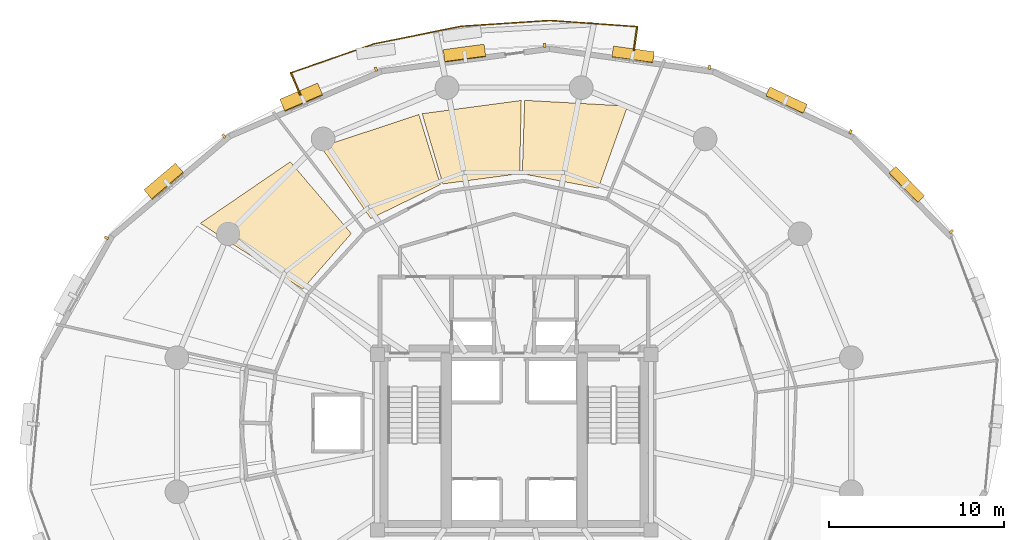
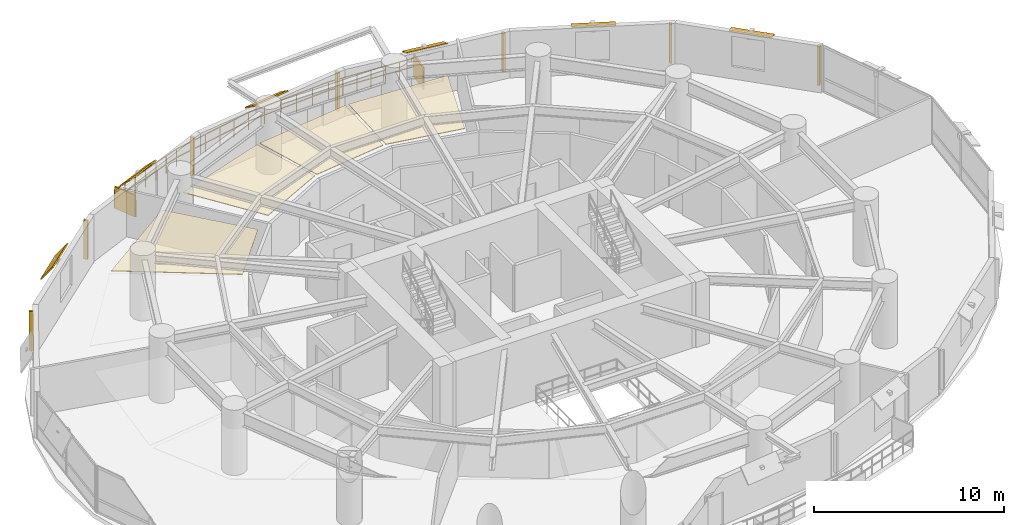
# One storey, part 17 of 17: 15 shading devices, 4 coverings, 1 railing.
"""IFC4 building model written with IfcOpenShell, lengths in metres."""

import ifcopenshell
import ifcopenshell.guid

model = None  # the IFC model being written
_history = None  # IfcOwnerHistory: only IFC2X3 demands one
_inside = {}  # id of a spatial element -> (the spatial element, [elements in it])
_under = {}  # id of a project, library or spatial element -> (it, [spatial elements below it])
_declared = {}  # id of a project -> (the project, [libraries it declares])
_typed = {}  # id of a type object -> (the type object, [elements of that type])
_made_of = {}  # id of a material, layer set ... -> (it, [elements and type objects made of it])


def new_model(schema):
    """Start an empty IFC model of exactly this schema.

    Asked for "IFC4X3", IfcOpenShell would pick the latest addendum, in which some entities
    have other attributes; the version numbers below select the first issue.
    IFC2X3 requires an IfcOwnerHistory on every rooted entity: one is made here for all.
    """
    global model, _history
    if schema == "IFC4X3":
        model = ifcopenshell.file(schema_version=(4, 3, 0, 0))
    else:
        model = ifcopenshell.file(schema=schema)
    _inside.clear()
    _under.clear()
    _declared.clear()
    _typed.clear()
    _made_of.clear()
    _history = None
    if model.schema == "IFC2X3":
        org = make("IfcOrganization", Name="unknown")
        user = make(
            "IfcPersonAndOrganization",
            ThePerson=make("IfcPerson", FamilyName="unknown"),
            TheOrganization=org,
        )
        app = make(
            "IfcApplication",
            ApplicationDeveloper=org,
            Version="unknown",
            ApplicationFullName="unknown",
            ApplicationIdentifier="unknown",
        )
        _history = make(
            "IfcOwnerHistory",
            OwningUser=user,
            OwningApplication=app,
            ChangeAction="ADDED",
            CreationDate=0,
        )
    return model


def make(cls, **values):
    """One entity of the class cls with the attributes given. An attribute that is None is left unset."""
    return model.create_entity(
        cls, **{name: value for name, value in values.items() if value is not None}
    )


def rooted(cls, **values):
    """An entity with a GlobalId (a new one), such as an element, a storey or a relation."""
    return make(cls, GlobalId=ifcopenshell.guid.new(), OwnerHistory=_history, **values)


def si_unit(unit_type, name, prefix=None):
    """IfcSIUnit, for example si_unit("LENGTHUNIT", "METRE", prefix="MILLI")."""
    return make("IfcSIUnit", UnitType=unit_type, Prefix=prefix, Name=name)


def assignment(units):
    """IfcUnitAssignment: the units of a project."""
    return None if units is None else make("IfcUnitAssignment", Units=units)


def point(xyz):
    """IfcCartesianPoint."""
    return None if xyz is None else make("IfcCartesianPoint", Coordinates=xyz)


def direction(xyz):
    """IfcDirection."""
    return None if xyz is None else make("IfcDirection", DirectionRatios=xyz)


def frame(location, z_axis=None, x_axis=None):
    """IfcAxis2Placement3D, a coordinate frame: its origin and axes. An axis left out is left unset."""
    return make(
        "IfcAxis2Placement3D",
        Location=point(location),
        Axis=direction(z_axis),
        RefDirection=direction(x_axis),
    )


def frame_2d(location, x_axis=None):
    """IfcAxis2Placement2D, a coordinate frame in the plane: its origin and x axis."""
    return make(
        "IfcAxis2Placement2D", Location=point(location), RefDirection=direction(x_axis)
    )


def origin():
    """The frame at (0, 0, 0) with its axes left unset."""
    return frame((0.0, 0.0, 0.0))


def origin_2d():
    """The frame at (0, 0) in the plane with its x axis left unset."""
    return frame_2d((0.0, 0.0))


def place(relative_to, where):
    """IfcLocalPlacement: puts the frame where relative to a parent placement (None: the world)."""
    return make(
        "IfcLocalPlacement", PlacementRelTo=relative_to, RelativePlacement=where
    )


def context(
    kind, dimensions, precision=None, world=None, true_north=None, identifier=None
):
    """IfcGeometricRepresentationContext, for example the 3D "Model" context."""
    return make(
        "IfcGeometricRepresentationContext",
        ContextIdentifier=identifier,
        ContextType=kind,
        CoordinateSpaceDimension=dimensions,
        Precision=precision,
        WorldCoordinateSystem=world,
        TrueNorth=true_north,
    )


def subcontext(parent, identifier, kind, view, scale=None):
    """IfcGeometricRepresentationSubContext, for example "Body" below "Model"."""
    return make(
        "IfcGeometricRepresentationSubContext",
        ContextIdentifier=identifier,
        ContextType=kind,
        ParentContext=parent,
        TargetScale=scale,
        TargetView=view,
    )


def project(units=None, contexts=None):
    """IfcProject with its units and contexts."""
    return rooted(
        "IfcProject",
        Name="project",
        RepresentationContexts=contexts,
        UnitsInContext=assignment(units),
    )


def spatial(cls, under=None, at=None, **own):
    """A site, building, storey or space (cls), placed at a placement, below another one or the project."""
    s = rooted(cls, ObjectPlacement=at, **own)
    if under is not None:
        _under.setdefault(under.id(), (under, []))[1].append(s)
    return s


def polyline(points):
    """IfcPolyline through the points."""
    return make("IfcPolyline", Points=[point(p) for p in points])


def profile(cls, at=None, kind="AREA", **sizes):
    """A parametric profile (cls). Its sizes go by their IFC names, for example OverallWidth=200.0."""
    return make(cls, ProfileType=kind, Position=at, **sizes)


def rectangle(**sizes):
    """IfcRectangleProfileDef."""
    return profile("IfcRectangleProfileDef", **sizes)


def outline(outer, holes=None, kind="AREA"):
    """IfcArbitraryClosedProfileDef: a profile drawn as a closed curve; with holes, ...WithVoids."""
    if holes is None:
        return make("IfcArbitraryClosedProfileDef", ProfileType=kind, OuterCurve=outer)
    return make(
        "IfcArbitraryProfileDefWithVoids",
        ProfileType=kind,
        OuterCurve=outer,
        InnerCurves=holes,
    )


def extrude(swept, where, along, depth):
    """IfcExtrudedAreaSolid: the profile swept, set in the frame where, extruded along a direction by depth."""
    return make(
        "IfcExtrudedAreaSolid",
        SweptArea=swept,
        Position=where,
        ExtrudedDirection=direction(along),
        Depth=depth,
    )


def shape(context_of_items, identifier, shape_type, items):
    """IfcShapeRepresentation: the items that make up one representation, for example the "Body"."""
    return make(
        "IfcShapeRepresentation",
        ContextOfItems=context_of_items,
        RepresentationIdentifier=identifier,
        RepresentationType=shape_type,
        Items=items,
    )


def material(Name=None, Category=None):
    """IfcMaterial."""
    return make("IfcMaterial", Name=Name, Category=Category)


def layer(
    of_material, thickness, ventilated=None, Name=None, Category=None, Priority=None
):
    """IfcMaterialLayer: one layer of a wall or slab, of a material (None: an air gap)."""
    return make(
        "IfcMaterialLayer",
        Material=of_material,
        LayerThickness=thickness,
        IsVentilated=ventilated,
        Name=Name,
        Category=Category,
        Priority=Priority,
    )


def layer_set(layers, Name=None):
    """IfcMaterialLayerSet."""
    return make("IfcMaterialLayerSet", MaterialLayers=layers, LayerSetName=Name)


def made_of(thing, what):
    """Note that an element or type object is made of a material, layer set ...; save() writes the relation."""
    if what is not None:
        _made_of.setdefault(what.id(), (what, []))[1].append(thing)
    return thing


def type_object(cls, material=None, **own):
    """A type object (cls), such as IfcWallType, which elements share."""
    return made_of(rooted(cls, **own), material)


def element(
    cls,
    number,
    at=None,
    inside=None,
    cuts=None,
    type_object=None,
    material=None,
    context=None,
    identifier="Body",
    shape_type=None,
    held_by="IfcProductDefinitionShape",
    body=None,
    shapes=None,
    **own,
):
    """One element of the class cls, such as IfcWall. Its Tag is "e" and its number.

    at: its placement. inside: the storey or other place that contains it. cuts: it is an
    opening in that element (IfcRelVoidsElement). A single representation is given by context,
    identifier, shape_type and body (its items); several are given by shapes. held_by: the class
    of the entity that holds the representations. save() writes the other relations.
    """
    e = rooted(cls, Tag="e%d" % number, ObjectPlacement=at, **own)
    if body is not None:
        shapes = [shape(context, identifier, shape_type, body)]
    if shapes is not None:
        e.Representation = make(held_by, Representations=shapes)
    if inside is not None:
        _inside.setdefault(inside.id(), (inside, []))[1].append(e)
    if cuts is not None:
        rooted(
            "IfcRelVoidsElement", RelatingBuildingElement=cuts, RelatedOpeningElement=e
        )
    if type_object is not None:
        _typed.setdefault(type_object.id(), (type_object, []))[1].append(e)
    return made_of(e, material)


def aggregate(whole, parts):
    """IfcRelAggregates: a whole, such as a stair, and the parts it consists of."""
    return rooted("IfcRelAggregates", RelatingObject=whole, RelatedObjects=parts)


def save(model, path):
    """Write the relations noted so far, then the file.

    IfcRelAggregates (storeys below a building ...), IfcRelContainedInSpatialStructure (elements
    in a storey), IfcRelDefinesByType, IfcRelAssociatesMaterial and IfcRelDeclares: one each for
    every whole, place, type object, material and project.
    """
    for whole, parts in _under.values():
        aggregate(whole, parts)
    for where, things in _inside.values():
        rooted(
            "IfcRelContainedInSpatialStructure",
            RelatedElements=things,
            RelatingStructure=where,
        )
    for kind, things in _typed.values():
        rooted("IfcRelDefinesByType", RelatedObjects=things, RelatingType=kind)
    for what, things in _made_of.values():
        rooted("IfcRelAssociatesMaterial", RelatedObjects=things, RelatingMaterial=what)
    for by, libraries in _declared.values():
        rooted("IfcRelDeclares", RelatingContext=by, RelatedDefinitions=libraries)
    model.write(path)


model = new_model("IFC4")

# Units and contexts
model_context = context("Model", 3, precision=1e-05, world=origin(), true_north=direction((0.0, 1.0)))
body_context = subcontext(model_context, "Body", "Model", "MODEL_VIEW")
ifc_project = project(units=[si_unit("LENGTHUNIT", "METRE"), si_unit("AREAUNIT", "SQUARE_METRE"), si_unit("VOLUMEUNIT", "CUBIC_METRE"), si_unit("PLANEANGLEUNIT", "RADIAN"), si_unit("MASSUNIT", "GRAM", prefix="KILO"), si_unit("THERMODYNAMICTEMPERATUREUNIT", "KELVIN"), si_unit("POWERUNIT", "WATT")], contexts=[model_context])

# Site, building, storey
site_placement = place(None, origin())
site = spatial("IfcSite", under=ifc_project, at=site_placement, CompositionType="ELEMENT")
building_placement = place(site_placement, origin())
building = spatial("IfcBuilding", under=site, at=building_placement, Name="Ocrelia Relay Tower", CompositionType="ELEMENT")
storey_placement = place(building_placement, frame((0.0, 0.0, 63.60009765625)))
storey = spatial("IfcBuildingStorey", under=building, at=storey_placement, Name="L14", CompositionType="ELEMENT", Elevation=63.60009765625)

# Coverings
ifc_material_1 = material(Name="Mineral-fiber acoustic ceiling tile", Category="gypsum")
ifc_layer_1 = layer(ifc_material_1, 0.0400390625, Name="Mineral-fiber acoustic ceiling tile")
ifc_layer_set_1 = layer_set([ifc_layer_1], Name="Mineral-fiber acoustic ceiling tile")
covering_type = type_object("IfcCoveringType", Name="COV-CEIL-ACOUSTIC", PredefinedType="CEILING", material=ifc_layer_set_1)
covering_1_placement = place(storey_placement, frame((0.0, 0.0, 2.919921875)))
element("IfcCovering", 1, at=covering_1_placement, inside=storey, type_object=covering_type, Name="L14 Shift Staff Lounge Suspended Ceiling 1", PredefinedType="CEILING", context=body_context, shape_type="SweptSolid", body=[
    extrude(outline(polyline([(38.8037109375, 39.490234375), (40.470703125, 44.172119140625), (34.602783203125, 44.49853515625), (34.466552734375, 40.3125), (38.8037109375, 39.490234375)])), origin(), (0.0, 0.0, 1.0), 0.0400390625),
])
covering_2_placement = place(storey_placement, frame((0.0, 0.0, 2.919921875)))
element("IfcCovering", 2, at=covering_2_placement, inside=storey, type_object=covering_type, Name="L14 Shift Staff Lounge Suspended Ceiling 2", PredefinedType="CEILING", context=body_context, shape_type="SweptSolid", body=[
    extrude(outline(polyline([(34.316650390625, 40.31640625), (34.40869140625, 44.490478515625), (28.757568359375, 43.736328125), (29.94091796875, 39.732666015625), (34.316650390625, 40.31640625)])), origin(), (0.0, 0.0, 1.0), 0.0400390625),
])
covering_3_placement = place(storey_placement, frame((0.0, 0.0, 2.919921875)))
element("IfcCovering", 3, at=covering_3_placement, inside=storey, type_object=covering_type, Name="L14 Shift Staff Lounge Suspended Ceiling 3", PredefinedType="CEILING", context=body_context, shape_type="SweptSolid", body=[
    extrude(outline(polyline([(29.79736328125, 39.689453125), (28.568115234375, 43.693359375), (22.9912109375, 41.83984375), (25.827392578125, 37.7587890625), (29.79736328125, 39.689453125)])), origin(), (0.0, 0.0, 1.0), 0.0400390625),
])
covering_4_placement = place(storey_placement, frame((0.0, 0.0, 2.919921875)))
element("IfcCovering", 4, at=covering_4_placement, inside=storey, type_object=covering_type, Name="L14 Executive Reading Study Suspended Ceiling 1", PredefinedType="CEILING", context=body_context, shape_type="SweptSolid", body=[
    extrude(outline(polyline([(24.718994140625, 36.9052734375), (21.23974609375, 40.993408203125), (16.110107421875, 37.485107421875), (21.94970703125, 33.736083984375), (24.718994140625, 36.9052734375)])), origin(), (0.0, 0.0, 1.0), 0.0400390625),
])

# Railing
ifc_material_2 = material(Name="Steel S355 balustrade", Category="steel")
railing_type = type_object("IfcRailingType", Name="RL-EXT-GUARD-1150", PredefinedType="GUARDRAIL", material=ifc_material_2)
railing_placement = place(storey_placement, frame((21.823486328125, 44.787109375, 0.0)))
element("IfcRailing", 5, at=railing_placement, inside=storey, type_object=railing_type, Name="L14 Loggia Balcony Guard Rail B1", PredefinedType="GUARDRAIL", context=body_context, shape_type="SweptSolid", body=[
    extrude(rectangle(XDim=0.048095703125, YDim=0.048095703125, at=origin_2d()), frame((0.0, 0.0, 1.1259765625), z_axis=(-0.39495528775, 0.918700343245, 0.0), x_axis=(-0.918700343245, -0.39495528775, 0.0)), (0.0, 0.0, 1.0), 1.393310546875),
    extrude(rectangle(XDim=0.048095703125, YDim=0.048095703125, at=origin_2d()), frame((0.0, 0.0, 0.574951171875), z_axis=(-0.39495528775, 0.918700343245, 0.0), x_axis=(-0.918700343245, -0.39495528775, 0.0)), (0.0, 0.0, 1.0), 1.393310546875),
    extrude(rectangle(XDim=0.048095703125, YDim=0.048095703125, at=origin_2d()), frame((-0.55029296875, 1.280029296875, 1.1259765625), z_axis=(0.944216392718, 0.329325680326, 0.0), x_axis=(-0.329325680326, 0.944216392718, 0.0)), (0.0, 0.0, 1.0), 2.5048828125),
    extrude(rectangle(XDim=0.048095703125, YDim=0.048095703125, at=origin_2d()), frame((-0.55029296875, 1.280029296875, 0.574951171875), z_axis=(0.944216392718, 0.329325680326, 0.0), x_axis=(-0.329325680326, 0.944216392718, 0.0)), (0.0, 0.0, 1.0), 2.5048828125),
    extrude(rectangle(XDim=0.048095703125, YDim=0.048095703125, at=origin_2d()), frame((1.81494140625, 2.10498046875, 1.1259765625), z_axis=(0.94425725974, 0.329208486263, 0.0), x_axis=(-0.329208486263, 0.94425725974, 0.0)), (0.0, 0.0, 1.0), 2.505126953125),
    extrude(rectangle(XDim=0.048095703125, YDim=0.048095703125, at=origin_2d()), frame((1.81494140625, 2.10498046875, 0.574951171875), z_axis=(0.94425725974, 0.329208486263, 0.0), x_axis=(-0.329208486263, 0.94425725974, 0.0)), (0.0, 0.0, 1.0), 2.505126953125),
    extrude(rectangle(XDim=0.048095703125, YDim=0.048095703125, at=origin_2d()), frame((4.180419921875, 2.9296875, 1.1259765625), z_axis=(0.980121967417, 0.198395889539, 0.0), x_axis=(-0.198395889539, 0.980121967417, 0.0)), (0.0, 0.0, 1.0), 5.06494140625),
    extrude(rectangle(XDim=0.048095703125, YDim=0.048095703125, at=origin_2d()), frame((4.180419921875, 2.9296875, 0.574951171875), z_axis=(0.980121967417, 0.198395889539, 0.0), x_axis=(-0.198395889539, 0.980121967417, 0.0)), (0.0, 0.0, 1.0), 5.06494140625),
    extrude(rectangle(XDim=0.048095703125, YDim=0.048095703125, at=origin_2d()), frame((9.144775390625, 3.9345703125, 1.1259765625), z_axis=(0.997849099772, 0.065552834301, 0.0), x_axis=(-0.065552834301, 0.997849099772, 0.0)), (0.0, 0.0, 1.0), 5.065185546875),
    extrude(rectangle(XDim=0.048095703125, YDim=0.048095703125, at=origin_2d()), frame((9.144775390625, 3.9345703125, 0.574951171875), z_axis=(0.997849099772, 0.065552834301, 0.0), x_axis=(-0.065552834301, 0.997849099772, 0.0)), (0.0, 0.0, 1.0), 5.065185546875),
    extrude(rectangle(XDim=0.048095703125, YDim=0.048095703125, at=origin_2d()), frame((14.198974609375, 4.2666015625, 1.1259765625), z_axis=(0.997527979113, -0.070270412598, 0.0), x_axis=(0.070270412598, 0.997527979113, 0.0)), (0.0, 0.0, 1.0), 2.5048828125),
    extrude(rectangle(XDim=0.048095703125, YDim=0.048095703125, at=origin_2d()), frame((14.198974609375, 4.2666015625, 0.574951171875), z_axis=(0.997527979113, -0.070270412598, 0.0), x_axis=(0.070270412598, 0.997527979113, 0.0)), (0.0, 0.0, 1.0), 2.5048828125),
    extrude(rectangle(XDim=0.048095703125, YDim=0.048095703125, at=origin_2d()), frame((16.69775390625, 4.090576171875, 1.1259765625), z_axis=(0.99753480624, -0.070173430434, 0.0), x_axis=(0.070173430434, 0.99753480624, 0.0)), (0.0, 0.0, 1.0), 2.5048828125),
    extrude(rectangle(XDim=0.048095703125, YDim=0.048095703125, at=origin_2d()), frame((16.69775390625, 4.090576171875, 0.574951171875), z_axis=(0.99753480624, -0.070173430434, 0.0), x_axis=(0.070173430434, 0.99753480624, 0.0)), (0.0, 0.0, 1.0), 2.5048828125),
    extrude(rectangle(XDim=0.048095703125, YDim=0.048095703125, at=origin_2d()), frame((19.196533203125, 3.914794921875, 1.1259765625), z_axis=(-0.140170224063, -0.990127420227, 0.0), x_axis=(0.990127420227, -0.140170224063, 0.0)), (0.0, 0.0, 1.0), 1.393310546875),
    extrude(rectangle(XDim=0.048095703125, YDim=0.048095703125, at=origin_2d()), frame((19.196533203125, 3.914794921875, 0.574951171875), z_axis=(-0.140170224063, -0.990127420227, 0.0), x_axis=(0.990127420227, -0.140170224063, 0.0)), (0.0, 0.0, 1.0), 1.393310546875),
    extrude(rectangle(XDim=0.0419921875, YDim=0.0419921875, at=origin_2d()), origin(), (0.0, 0.0, 1.0), 1.101806640625),
    extrude(rectangle(XDim=0.0419921875, YDim=0.0419921875, at=origin_2d()), frame((-0.275146484375, 0.64013671875, 0.0)), (0.0, 0.0, 1.0), 1.101806640625),
    extrude(rectangle(XDim=0.0419921875, YDim=0.0419921875, at=origin_2d()), frame((-0.55029296875, 1.280029296875, 0.0)), (0.0, 0.0, 1.0), 1.101806640625),
    extrude(rectangle(XDim=0.0419921875, YDim=0.0419921875, at=origin_2d()), frame((0.238037109375, 1.554931640625, 0.0)), (0.0, 0.0, 1.0), 1.101806640625),
    extrude(rectangle(XDim=0.0419921875, YDim=0.0419921875, at=origin_2d()), frame((1.026611328125, 1.830078125, 0.0)), (0.0, 0.0, 1.0), 1.101806640625),
    extrude(rectangle(XDim=0.0419921875, YDim=0.0419921875, at=origin_2d()), frame((1.81494140625, 2.10498046875, 0.0)), (0.0, 0.0, 1.0), 1.101806640625),
    extrude(rectangle(XDim=0.0419921875, YDim=0.0419921875, at=origin_2d()), frame((2.603515625, 2.3798828125, 0.0)), (0.0, 0.0, 1.0), 1.101806640625),
    extrude(rectangle(XDim=0.0419921875, YDim=0.0419921875, at=origin_2d()), frame((3.391845703125, 2.65478515625, 0.0)), (0.0, 0.0, 1.0), 1.101806640625),
    extrude(rectangle(XDim=0.0419921875, YDim=0.0419921875, at=origin_2d()), frame((4.180419921875, 2.9296875, 0.0)), (0.0, 0.0, 1.0), 1.101806640625),
    extrude(rectangle(XDim=0.0419921875, YDim=0.0419921875, at=origin_2d()), frame((5.17333984375, 3.130615234375, 0.0)), (0.0, 0.0, 1.0), 1.101806640625),
    extrude(rectangle(XDim=0.0419921875, YDim=0.0419921875, at=origin_2d()), frame((6.166259765625, 3.33154296875, 0.0)), (0.0, 0.0, 1.0), 1.101806640625),
    extrude(rectangle(XDim=0.0419921875, YDim=0.0419921875, at=origin_2d()), frame((7.158935546875, 3.53271484375, 0.0)), (0.0, 0.0, 1.0), 1.101806640625),
    extrude(rectangle(XDim=0.0419921875, YDim=0.0419921875, at=origin_2d()), frame((8.15185546875, 3.733642578125, 0.0)), (0.0, 0.0, 1.0), 1.101806640625),
    extrude(rectangle(XDim=0.0419921875, YDim=0.0419921875, at=origin_2d()), frame((9.144775390625, 3.9345703125, 0.0)), (0.0, 0.0, 1.0), 1.101806640625),
    extrude(rectangle(XDim=0.0419921875, YDim=0.0419921875, at=origin_2d()), frame((10.155517578125, 4.0009765625, 0.0)), (0.0, 0.0, 1.0), 1.101806640625),
    extrude(rectangle(XDim=0.0419921875, YDim=0.0419921875, at=origin_2d()), frame((11.16650390625, 4.0673828125, 0.0)), (0.0, 0.0, 1.0), 1.101806640625),
    extrude(rectangle(XDim=0.0419921875, YDim=0.0419921875, at=origin_2d()), frame((12.17724609375, 4.1337890625, 0.0)), (0.0, 0.0, 1.0), 1.101806640625),
    extrude(rectangle(XDim=0.0419921875, YDim=0.0419921875, at=origin_2d()), frame((13.188232421875, 4.2001953125, 0.0)), (0.0, 0.0, 1.0), 1.101806640625),
    extrude(rectangle(XDim=0.0419921875, YDim=0.0419921875, at=origin_2d()), frame((14.198974609375, 4.2666015625, 0.0)), (0.0, 0.0, 1.0), 1.101806640625),
    extrude(rectangle(XDim=0.0419921875, YDim=0.0419921875, at=origin_2d()), frame((15.031982421875, 4.2080078125, 0.0)), (0.0, 0.0, 1.0), 1.101806640625),
    extrude(rectangle(XDim=0.0419921875, YDim=0.0419921875, at=origin_2d()), frame((15.86474609375, 4.149169921875, 0.0)), (0.0, 0.0, 1.0), 1.101806640625),
    extrude(rectangle(XDim=0.0419921875, YDim=0.0419921875, at=origin_2d()), frame((16.69775390625, 4.090576171875, 0.0)), (0.0, 0.0, 1.0), 1.101806640625),
    extrude(rectangle(XDim=0.0419921875, YDim=0.0419921875, at=origin_2d()), frame((17.53076171875, 4.031982421875, 0.0)), (0.0, 0.0, 1.0), 1.101806640625),
    extrude(rectangle(XDim=0.0419921875, YDim=0.0419921875, at=origin_2d()), frame((18.363525390625, 3.973388671875, 0.0)), (0.0, 0.0, 1.0), 1.101806640625),
    extrude(rectangle(XDim=0.0419921875, YDim=0.0419921875, at=origin_2d()), frame((19.196533203125, 3.914794921875, 0.0)), (0.0, 0.0, 1.0), 1.101806640625),
    extrude(rectangle(XDim=0.0419921875, YDim=0.0419921875, at=origin_2d()), frame((19.098876953125, 3.22509765625, 0.0)), (0.0, 0.0, 1.0), 1.101806640625),
    extrude(rectangle(XDim=0.0419921875, YDim=0.0419921875, at=origin_2d()), frame((19.001220703125, 2.53515625, 0.0)), (0.0, 0.0, 1.0), 1.101806640625),
])

# Shading devices
ifc_material_3 = material(Name="Perforated oxide terracotta solar screen", Category="masonry")
ifc_layer_2 = layer(ifc_material_3, 0.090087890625, Name="Perforated oxide terracotta solar screen")
ifc_layer_set_2 = layer_set([ifc_layer_2], Name="Perforated oxide terracotta solar screen")
shading_device_type_1 = type_object("IfcShadingDeviceType", Name="SH-BALC-SCREEN", PredefinedType="USERDEFINED", material=ifc_layer_set_2)
for number, where, z_axis, x_axis, name in (
    (6, (40.92236328125, 48.01220703125, 0.0), (0.0, 0.0, 1.0), (0.140296026168, 0.99010960254, 0.0), "L14 Balcony Perforated Terracotta Screen B1-1"),
    (7, (21.54833984375, 45.427001953125, 0.0), (0.0, 0.0, 1.0), (-0.394915096585, 0.918717620648, 0.0), "L14 Balcony Perforated Terracotta Screen B1-2"),
):
    element("IfcShadingDevice", number, at=place(storey_placement, frame(where, z_axis=z_axis, x_axis=x_axis)), inside=storey, type_object=shading_device_type_1, Name=name, ObjectType="SCREEN", PredefinedType="USERDEFINED", context=body_context, shape_type="SweptSolid", body=[
        extrude(rectangle(XDim=1.340087890625, YDim=0.090087890625, at=origin_2d()), origin(), (0.0, 0.0, 1.0), 1.39990234375),
    ])
ifc_material_4 = material(Name="Extruded oxide terracotta vertical baguette", Category="masonry")
shading_device_type_2 = type_object("IfcShadingDeviceType", Name="SH-TERR-BAGUETTE", PredefinedType="USERDEFINED", material=ifc_material_4)
for number, where, z_axis, x_axis, name in (
    (8, (58.92578125, 37.00830078125, 0.25), (0.0, 0.0, 1.0), (-0.702146566192, 0.71203244279, 0.0), "L14 Oxide Terracotta Vertical Baguette 02"),
    (9, (53.1787109375, 42.69775390625, 0.25), (0.0, 0.0, 1.0), (-0.905290591783, 0.424792825304, 0.0), "L14 Oxide Terracotta Vertical Baguette 03"),
    (10, (45.132568359375, 46.3837890625, 0.25), (0.0, 0.0, 1.0), (-0.990311838289, 0.138861308307, 0.0), "L14 Oxide Terracotta Vertical Baguette 04"),
    (11, (35.742431640625, 47.626708984375, 0.25), (0.0, 0.0, 1.0), (-0.991215684516, -0.132255309043, 0.0), "L14 Oxide Terracotta Vertical Baguette 05"),
    (12, (26.12939453125, 46.2705078125, 0.25), (0.0, 0.0, 1.0), (-0.919254826967, -0.393663007022, 0.0), "L14 Oxide Terracotta Vertical Baguette 06"),
    (13, (17.45068359375, 42.4658203125, 0.25), (0.0, 0.0, 1.0), (-0.762251834045, -0.647280574014, 0.0), "L14 Oxide Terracotta Vertical Baguette 07"),
    (14, (10.76220703125, 36.658447265625, 0.25), (0.0, 0.0, 1.0), (-0.490896778038, -0.871217741619, 0.0), "L14 Oxide Terracotta Vertical Baguette 08"),
):
    element("IfcShadingDevice", number, at=place(storey_placement, frame(where, z_axis=z_axis, x_axis=x_axis)), inside=storey, type_object=shading_device_type_2, Name=name, ObjectType="BAGUETTE", PredefinedType="USERDEFINED", context=body_context, shape_type="SweptSolid", body=[
        extrude(rectangle(XDim=0.139892578125, YDim=0.239990234375, at=origin_2d()), origin(), (0.0, 0.0, 1.0), 2.5),
    ])
ifc_material_5 = material(Name="Extruded oxide terracotta fin", Category="masonry")
ifc_layer_3 = layer(ifc_material_5, 0.080078125, Name="Extruded oxide terracotta fin")
ifc_layer_set_3 = layer_set([ifc_layer_3], Name="Extruded oxide terracotta fin")
shading_device_type_3 = type_object("IfcShadingDeviceType", Name="SH-VISOR-FIN-DEEP", PredefinedType="USERDEFINED", material=ifc_layer_set_3)
shading_device_1_placement = place(storey_placement, frame((14.056396484375, 39.850830078125, 2.81640625), z_axis=(-0.524125415566, 0.617221611962, 0.586796413149), x_axis=(-0.762251834045, -0.647280574014, 0.0)))
element("IfcShadingDevice", 15, at=shading_device_1_placement, inside=storey, type_object=shading_device_type_3, Name="L14 Canted Terracotta Sun-Visor Fin 07", ObjectType="FIN", PredefinedType="USERDEFINED", context=body_context, shape_type="SweptSolid", body=[
    extrude(rectangle(XDim=2.35009765625, YDim=1.15087890625, at=origin_2d()), origin(), (0.0, 0.0, 1.0), 0.080078125),
])
ifc_layer_4 = layer(ifc_material_5, 0.080078125, Name="Extruded oxide terracotta fin")
ifc_layer_set_4 = layer_set([ifc_layer_4], Name="Extruded oxide terracotta fin")
shading_device_type_4 = type_object("IfcShadingDeviceType", Name="SH-VISOR-FIN-MED", PredefinedType="USERDEFINED", material=ifc_layer_set_4)
shading_device_2_placement = place(storey_placement, frame((31.1767578125, 47.158447265625, 2.806884765625), z_axis=(-0.07551780369, 0.565984322438, 0.820949942494), x_axis=(-0.991215684516, -0.132255309043, 0.0)))
element("IfcShadingDevice", 16, at=shading_device_2_placement, inside=storey, type_object=shading_device_type_4, Name="L14 Canted Terracotta Sun-Visor Fin 05", ObjectType="FIN", PredefinedType="USERDEFINED", context=body_context, shape_type="SweptSolid", body=[
    extrude(rectangle(XDim=2.35009765625, YDim=0.830078125, at=origin_2d()), origin(), (0.0, 0.0, 1.0), 0.080078125),
])
shading_device_3_placement = place(storey_placement, frame((21.88232421875, 44.64404296875, 2.811767578125), z_axis=(-0.280008703068, 0.653857099338, 0.702898299792), x_axis=(-0.919254826967, -0.393663007022, 0.0)))
element("IfcShadingDevice", 17, at=shading_device_3_placement, inside=storey, type_object=shading_device_type_4, Name="L14 Canted Terracotta Sun-Visor Fin 06", ObjectType="FIN", PredefinedType="USERDEFINED", context=body_context, shape_type="SweptSolid", body=[
    extrude(rectangle(XDim=2.35009765625, YDim=1.006103515625, at=origin_2d()), origin(), (0.0, 0.0, 1.0), 0.080078125),
])
ifc_layer_5 = layer(ifc_material_5, 0.080078125, Name="Extruded oxide terracotta fin")
ifc_layer_set_5 = layer_set([ifc_layer_5], Name="Extruded oxide terracotta fin")
shading_device_type_5 = type_object("IfcShadingDeviceType", Name="SH-VISOR-FIN-SHAL", PredefinedType="USERDEFINED", material=ifc_layer_set_5)
shading_device_4_placement = place(storey_placement, frame((56.3740234375, 39.687255859375, 2.8017578125), z_axis=(0.221802230508, 0.218722722682, 0.950244253402), x_axis=(-0.702146566192, 0.71203244279, 0.0)))
element("IfcShadingDevice", 18, at=shading_device_4_placement, inside=storey, type_object=shading_device_type_5, Name="L14 Canted Terracotta Sun-Visor Fin 02", ObjectType="FIN", PredefinedType="USERDEFINED", context=body_context, shape_type="SweptSolid", body=[
    extrude(rectangle(XDim=2.35009765625, YDim=0.552978515625, at=origin_2d()), origin(), (0.0, 0.0, 1.0), 0.080078125),
])
shading_device_5_placement = place(storey_placement, frame((49.520751953125, 44.4912109375, 2.80224609375), z_axis=(0.147028042562, 0.313336515428, 0.938191335922), x_axis=(-0.905290591783, 0.424792825304, 0.0)))
element("IfcShadingDevice", 19, at=shading_device_5_placement, inside=storey, type_object=shading_device_type_5, Name="L14 Canted Terracotta Sun-Visor Fin 03", ObjectType="FIN", PredefinedType="USERDEFINED", context=body_context, shape_type="SweptSolid", body=[
    extrude(rectangle(XDim=2.35009765625, YDim=0.5869140625, at=origin_2d()), origin(), (0.0, 0.0, 1.0), 0.080078125),
])
shading_device_6_placement = place(storey_placement, frame((40.779052734375, 47.092529296875, 2.8037109375), z_axis=(0.060196628542, 0.429301974734, 0.901152695386), x_axis=(-0.990311838289, 0.138861308307, 0.0)))
element("IfcShadingDevice", 20, at=shading_device_6_placement, inside=storey, type_object=shading_device_type_5, Name="L14 Canted Terracotta Sun-Visor Fin 04", ObjectType="FIN", PredefinedType="USERDEFINED", context=body_context, shape_type="SweptSolid", body=[
    extrude(rectangle(XDim=2.35009765625, YDim=0.677978515625, at=origin_2d()), origin(), (0.0, 0.0, 1.0), 0.080078125),
])

save(model, "model.ifc")
